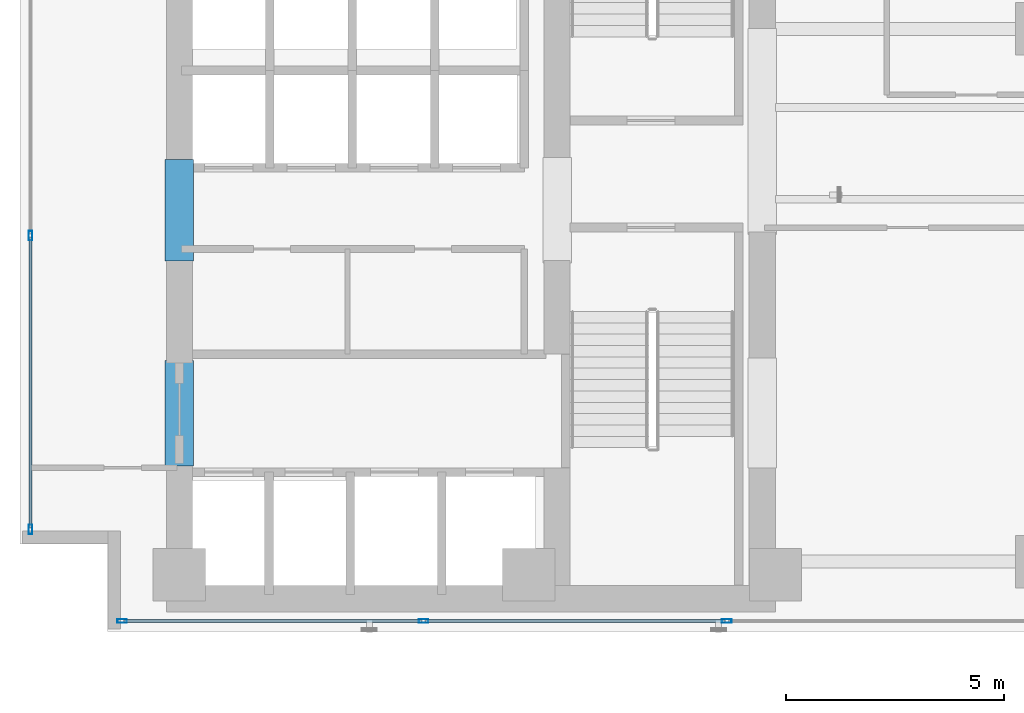
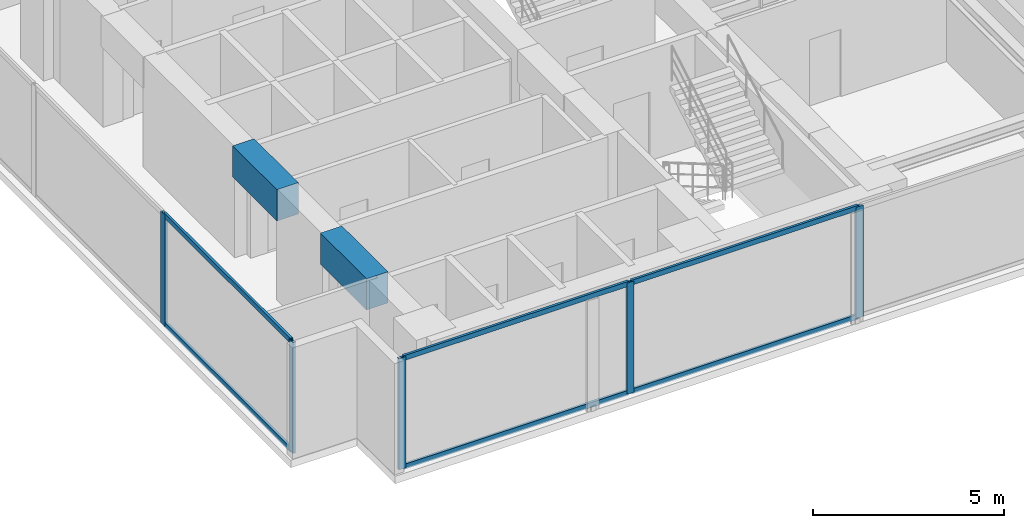
# One storey, part 2 of 24: 11 members, 2 beams, 2 elements without a shape of their own.
"""IFC4 building model written with IfcOpenShell, lengths in metres."""

from ifc_helpers import new_model, si_unit, direction, frame, origin, origin_with_axes, origin_2d, place, context, subcontext, project, spatial, rectangle, hollow_rectangle, extrude, source, transform, mapped, material, layer, layer_set, material_profile, profile_set, type_object, element, aggregate, save


model = new_model("IFC4")

# Units and contexts
model_context = context("Model", 3, precision=1e-05, world=origin(), true_north=direction((0.0, 1.0)))
body_context = subcontext(model_context, "Body", "Model", "MODEL_VIEW")
ifc_project = project(units=[si_unit("LENGTHUNIT", "METRE"), si_unit("AREAUNIT", "SQUARE_METRE"), si_unit("VOLUMEUNIT", "CUBIC_METRE"), si_unit("PLANEANGLEUNIT", "RADIAN"), si_unit("MASSUNIT", "GRAM", prefix="KILO")], contexts=[model_context])

# Site, building, storey
site_placement = place(None, origin())
site = spatial("IfcSite", under=ifc_project, at=site_placement, CompositionType="ELEMENT")
building_placement = place(site_placement, origin())
building = spatial("IfcBuilding", under=site, at=building_placement, Name="Kolvaren Waterfront Exchange", CompositionType="ELEMENT")
storey_placement = place(building_placement, frame((0.0, 0.0, 157.60009765625)))
storey = spatial("IfcBuildingStorey", under=building, at=storey_placement, Name="L40", CompositionType="ELEMENT", Elevation=157.60009765625)

# Beams
ifc_material_1 = material(Name="Concrete C60/75", Category="concrete")
ifc_material_profile_1 = material_profile(ifc_material_1, rectangle(XDim=0.64990234375, YDim=1.0, at=origin_2d()), Name="RC-CB-1000x650")
ifc_profile_set_1 = profile_set([ifc_material_profile_1], Name="Concrete C60/75")
beam_type = type_object("IfcBeamType", Name="STR-CB-1000", PredefinedType="SPANDREL", material=ifc_profile_set_1)
beam_1_placement = place(storey_placement, frame((7.449951171875, 7.389892578125, 3.059814453125), z_axis=(0.0, 1.0, 0.0), x_axis=(-1.0, 0.0, 0.0)))
element("IfcBeam", 1, at=beam_1_placement, inside=storey, type_object=beam_type, Name="L40 core coupling beam 3", PredefinedType="SPANDREL", context=body_context, shape_type="SweptSolid", body=[
    extrude(rectangle(XDim=0.64990234375, YDim=1.0, at=origin_2d()), origin(), (0.0, 0.0, 1.0), 2.420166015625),
])
beam_2_placement = place(storey_placement, frame((7.449951171875, 12.090087890625, 3.059814453125), z_axis=(0.0, 1.0, 0.0), x_axis=(-1.0, 0.0, 0.0)))
element("IfcBeam", 2, at=beam_2_placement, inside=storey, type_object=beam_type, Name="L40 core coupling beam 4", PredefinedType="SPANDREL", context=body_context, shape_type="SweptSolid", body=[
    extrude(rectangle(XDim=0.64990234375, YDim=1.0, at=origin_2d()), origin(), (0.0, 0.0, 1.0), 2.31982421875),
])

# Curtain wall, members
ifc_material_2 = material(Name="Anodised bronze aluminium 6063-T6", Category="aluminium")
ifc_layer_1 = layer(ifc_material_2, 0.219970703125, Name="Anodised bronze aluminium 6063-T6")
ifc_layer_set_1 = layer_set([ifc_layer_1], Name="Anodised bronze aluminium 6063-T6")
curtain_wall_type_1 = type_object("IfcCurtainWallType", Name="ARC-CW-SYS1", PredefinedType="USERDEFINED", material=ifc_layer_set_1)
curtain_wall_1_placement = place(storey_placement, origin())
curtain_wall_1 = element("IfcCurtainWall", 3, at=curtain_wall_1_placement, inside=storey, type_object=curtain_wall_type_1, Name="L40 stick curtain wall CW1 (CW-L40-S)", ObjectType="STICK CURTAIN WALL", PredefinedType="USERDEFINED")
ifc_material_3 = material(Name="Anodised aluminium 6063-T6", Category="aluminium")
ifc_material_profile_2 = material_profile(ifc_material_3, hollow_rectangle(XDim=0.074951171875, YDim=0.159912109375, WallThickness=0.00439453125, at=origin_2d()), Name="ALU-TRN-160x75x4.5")
ifc_profile_set_2 = profile_set([ifc_material_profile_2], Name="Anodised aluminium 6063-T6")
member_type_1 = type_object("IfcMemberType", Name="ARC-CWT-160", PredefinedType="USERDEFINED", material=ifc_profile_set_2)
shared_shape_1 = source(origin_with_axes(), body_context, "Body", "SweptSolid", [
    extrude(hollow_rectangle(XDim=0.074951171875, YDim=0.159912109375, WallThickness=0.00439453125, at=origin_2d()), origin(), (0.0, 0.0, 1.0), 6.822998046875),
])
member_1_placement = place(storey_placement, frame((6.179931640625, 3.840087890625, 0.037353515625), z_axis=(1.0, 0.0, 0.0), x_axis=(0.0, 1.0, 0.0)))
member_1 = element("IfcMember", 4, at=member_1_placement, type_object=member_type_1, Name="CW1 transom 1.1", ObjectType="TRANSOM", PredefinedType="USERDEFINED", context=body_context, shape_type="MappedRepresentation", body=[
    mapped(shared_shape_1, transform((0.0, 0.0, 0.0), x_axis=(1.0, 0.0, 0.0), y_axis=(0.0, 1.0, 0.0), z_axis=(0.0, 0.0, 1.0), scale=1.0)),
])
member_2_placement = place(storey_placement, frame((6.179931640625, 3.840087890625, 3.5224609375), z_axis=(1.0, 0.0, 0.0), x_axis=(0.0, 1.0, 0.0)))
member_2 = element("IfcMember", 5, at=member_2_placement, type_object=member_type_1, Name="CW1 transom 1.2", ObjectType="TRANSOM", PredefinedType="USERDEFINED", context=body_context, shape_type="MappedRepresentation", body=[
    mapped(shared_shape_1, transform((0.0, 0.0, 0.0), x_axis=(1.0, 0.0, 0.0), y_axis=(0.0, 1.0, 0.0), z_axis=(0.0, 0.0, 1.0), scale=1.0)),
])
shared_shape_2 = source(origin_with_axes(), body_context, "Body", "SweptSolid", [
    extrude(hollow_rectangle(XDim=0.074951171875, YDim=0.159912109375, WallThickness=0.00439453125, at=origin_2d()), origin(), (0.0, 0.0, 1.0), 6.863037109375),
])
member_3_placement = place(storey_placement, frame((13.082763671875, 3.840087890625, 0.037353515625), z_axis=(1.0, 0.0, 0.0), x_axis=(0.0, 1.0, 0.0)))
member_3 = element("IfcMember", 6, at=member_3_placement, type_object=member_type_1, Name="CW1 transom 2.1", ObjectType="TRANSOM", PredefinedType="USERDEFINED", context=body_context, shape_type="MappedRepresentation", body=[
    mapped(shared_shape_2, transform((0.0, 0.0, 0.0), x_axis=(1.0, 0.0, 0.0), y_axis=(0.0, 1.0, 0.0), z_axis=(0.0, 0.0, 1.0), scale=1.0)),
])
member_4_placement = place(storey_placement, frame((13.082763671875, 3.840087890625, 3.5224609375), z_axis=(1.0, 0.0, 0.0), x_axis=(0.0, 1.0, 0.0)))
member_4 = element("IfcMember", 7, at=member_4_placement, type_object=member_type_1, Name="CW1 transom 2.2", ObjectType="TRANSOM", PredefinedType="USERDEFINED", context=body_context, shape_type="MappedRepresentation", body=[
    mapped(shared_shape_2, transform((0.0, 0.0, 0.0), x_axis=(1.0, 0.0, 0.0), y_axis=(0.0, 1.0, 0.0), z_axis=(0.0, 0.0, 1.0), scale=1.0)),
])

ifc_layer_2 = layer(ifc_material_3, 0.219970703125, Name="Anodised aluminium 6063-T6")
ifc_layer_set_2 = layer_set([ifc_layer_2], Name="Anodised aluminium 6063-T6")
curtain_wall_type_2 = type_object("IfcCurtainWallType", Name="ARC-CW-SYS2", PredefinedType="USERDEFINED", material=ifc_layer_set_2)
curtain_wall_2_placement = place(storey_placement, origin())
curtain_wall_2 = element("IfcCurtainWall", 8, at=curtain_wall_2_placement, inside=storey, type_object=curtain_wall_type_2, Name="L40 stick curtain wall CW2 (CW-L40-W)", ObjectType="STICK CURTAIN WALL", PredefinedType="USERDEFINED")
shared_shape_3 = source(origin_with_axes(), body_context, "Body", "SweptSolid", [
    extrude(hollow_rectangle(XDim=0.074951171875, YDim=0.159912109375, WallThickness=0.00439453125, at=origin_2d()), origin(), (0.0, 0.0, 1.0), 6.646728515625),
])
member_5_placement = place(storey_placement, frame((4.0400390625, 5.97998046875, 0.037353515625), z_axis=(0.0, 1.0, 0.0), x_axis=(-1.0, 0.0, 0.0)))
member_5 = element("IfcMember", 9, at=member_5_placement, type_object=member_type_1, Name="CW2 transom 1.1", ObjectType="TRANSOM", PredefinedType="USERDEFINED", context=body_context, shape_type="MappedRepresentation", body=[
    mapped(shared_shape_3, transform((0.0, 0.0, 0.0), x_axis=(1.0, 0.0, 0.0), y_axis=(0.0, 1.0, 0.0), z_axis=(0.0, 0.0, 1.0), scale=1.0)),
])
member_6_placement = place(storey_placement, frame((4.0400390625, 5.97998046875, 3.5224609375), z_axis=(0.0, 1.0, 0.0), x_axis=(-1.0, 0.0, 0.0)))
member_6 = element("IfcMember", 10, at=member_6_placement, type_object=member_type_1, Name="CW2 transom 1.2", ObjectType="TRANSOM", PredefinedType="USERDEFINED", context=body_context, shape_type="MappedRepresentation", body=[
    mapped(shared_shape_3, transform((0.0, 0.0, 0.0), x_axis=(1.0, 0.0, 0.0), y_axis=(0.0, 1.0, 0.0), z_axis=(0.0, 0.0, 1.0), scale=1.0)),
])

# Member
ifc_material_profile_3 = material_profile(ifc_material_3, hollow_rectangle(XDim=0.080078125, YDim=0.219970703125, WallThickness=0.0048828125, at=origin_2d()), Name="ALU-MUL-220x80x5")
ifc_profile_set_3 = profile_set([ifc_material_profile_3], Name="Anodised aluminium 6063-T6")
member_type_2 = type_object("IfcMemberType", Name="ARC-CWM-220", PredefinedType="MULLION", material=ifc_profile_set_3)
shared_shape_4 = source(origin_with_axes(), body_context, "Body", "SweptSolid", [
    extrude(hollow_rectangle(XDim=0.080078125, YDim=0.219970703125, WallThickness=0.0048828125, at=origin_2d()), origin(), (0.0, 0.0, 1.0), 3.559814453125),
])
member_7_placement = place(storey_placement, frame((6.139892578125, 3.840087890625, 0.0), z_axis=(0.0, 0.0, 1.0), x_axis=(0.0, 1.0, 0.0)))
member_7 = element("IfcMember", 11, at=member_7_placement, type_object=member_type_2, Name="CW1 mullion 1", PredefinedType="MULLION", context=body_context, shape_type="MappedRepresentation", body=[
    mapped(shared_shape_4, transform((0.0, 0.0, 0.0), x_axis=(1.0, 0.0, 0.0), y_axis=(0.0, 1.0, 0.0), z_axis=(0.0, 0.0, 1.0), scale=1.0)),
])

member_8_placement = place(storey_placement, frame((13.04296875, 3.840087890625, 0.0), z_axis=(0.0, 0.0, 1.0), x_axis=(0.0, 1.0, 0.0)))
member_8 = element("IfcMember", 12, at=member_8_placement, type_object=member_type_2, Name="CW1 mullion 2", PredefinedType="MULLION", context=body_context, shape_type="MappedRepresentation", body=[
    mapped(shared_shape_4, transform((0.0, 0.0, 0.0), x_axis=(1.0, 0.0, 0.0), y_axis=(0.0, 1.0, 0.0), z_axis=(0.0, 0.0, 1.0), scale=1.0)),
])

member_9_placement = place(storey_placement, frame((19.985595703125, 3.840087890625, 0.0), z_axis=(0.0, 0.0, 1.0), x_axis=(0.0, 1.0, 0.0)))
member_9 = element("IfcMember", 13, at=member_9_placement, type_object=member_type_2, Name="CW1 mullion 3", PredefinedType="MULLION", context=body_context, shape_type="MappedRepresentation", body=[
    mapped(shared_shape_4, transform((0.0, 0.0, 0.0), x_axis=(1.0, 0.0, 0.0), y_axis=(0.0, 1.0, 0.0), z_axis=(0.0, 0.0, 1.0), scale=1.0)),
])

aggregate(curtain_wall_1, [member_7, member_8, member_9, member_1, member_2, member_3, member_4])

member_10_placement = place(storey_placement, frame((4.0400390625, 5.93994140625, 0.0), z_axis=(0.0, 0.0, 1.0), x_axis=(-1.0, 0.0, 0.0)))
member_10 = element("IfcMember", 14, at=member_10_placement, type_object=member_type_2, Name="CW2 mullion 1", PredefinedType="MULLION", context=body_context, shape_type="MappedRepresentation", body=[
    mapped(shared_shape_4, transform((0.0, 0.0, 0.0), x_axis=(1.0, 0.0, 0.0), y_axis=(0.0, 1.0, 0.0), z_axis=(0.0, 0.0, 1.0), scale=1.0)),
])

member_11_placement = place(storey_placement, frame((4.0400390625, 12.666748046875, 0.0), z_axis=(0.0, 0.0, 1.0), x_axis=(-1.0, 0.0, 0.0)))
member_11 = element("IfcMember", 15, at=member_11_placement, type_object=member_type_2, Name="CW2 mullion 2", PredefinedType="MULLION", context=body_context, shape_type="MappedRepresentation", body=[
    mapped(shared_shape_4, transform((0.0, 0.0, 0.0), x_axis=(1.0, 0.0, 0.0), y_axis=(0.0, 1.0, 0.0), z_axis=(0.0, 0.0, 1.0), scale=1.0)),
])

aggregate(curtain_wall_2, [member_10, member_11, member_5, member_6])

save(model, "model.ifc")
